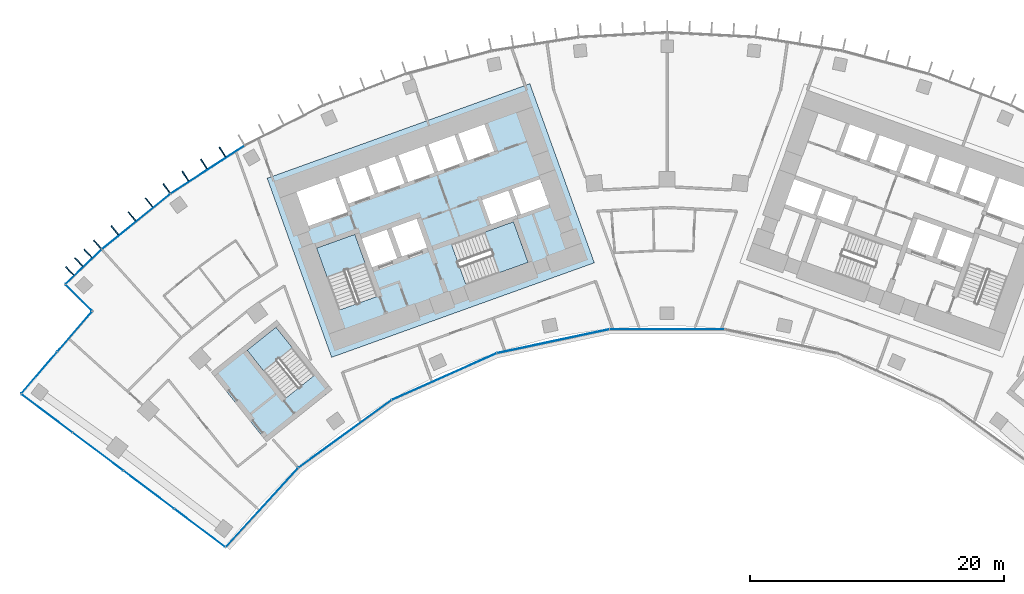
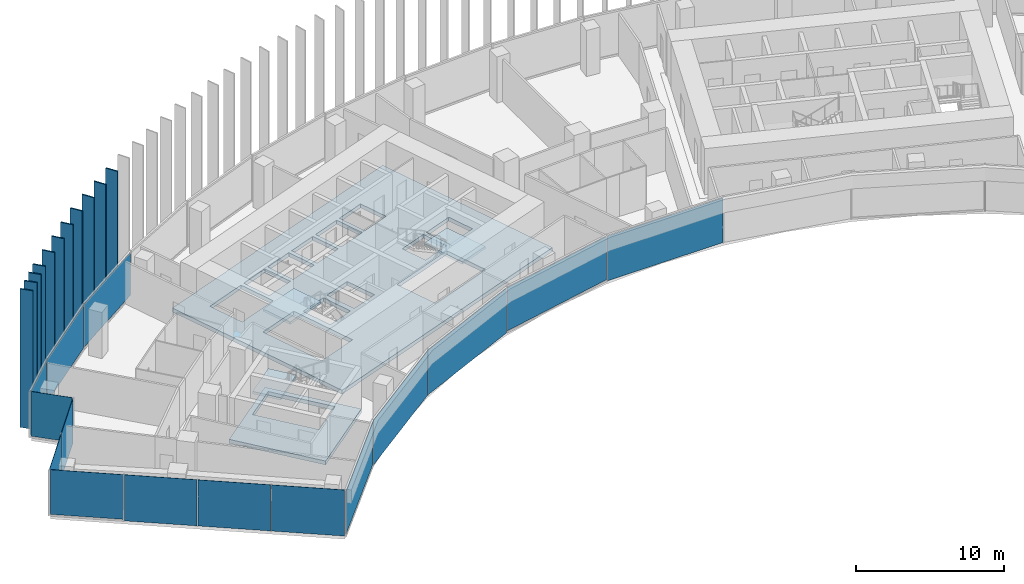
# One storey, part 12 of 23: 26 plates, 5 slabs, 8 elements without a shape of their own.
"""IFC4 building model written with IfcOpenShell, lengths in metres."""

from ifc_helpers import new_model, si_unit, direction, frame, origin, origin_2d, place, context, subcontext, project, spatial, polyline, rectangle, outline, extrude, material, layer, layer_set, type_object, element, aggregate, save


model = new_model("IFC4")

# Units and contexts
model_context = context("Model", 3, precision=1e-05, world=origin(), true_north=direction((0.0, 1.0)))
body_context = subcontext(model_context, "Body", "Model", "MODEL_VIEW")
ifc_project = project(units=[si_unit("LENGTHUNIT", "METRE"), si_unit("AREAUNIT", "SQUARE_METRE"), si_unit("VOLUMEUNIT", "CUBIC_METRE"), si_unit("PLANEANGLEUNIT", "RADIAN"), si_unit("MASSUNIT", "GRAM", prefix="KILO")], contexts=[model_context])

# Site, building, storey
site_placement = place(None, origin())
site = spatial("IfcSite", under=ifc_project, at=site_placement, CompositionType="ELEMENT")
building_placement = place(site_placement, origin())
building = spatial("IfcBuilding", under=site, at=building_placement, Name="Stone Belt Terrace Tower", CompositionType="ELEMENT")
storey_placement = place(building_placement, frame((0.0, 0.0, 178.199951171875)))
storey = spatial("IfcBuildingStorey", under=building, at=storey_placement, Name="L43", CompositionType="ELEMENT", Elevation=178.199951171875)

# Curtain wall, plates
ifc_material_1 = material(Name="Aluminium 6063-T6 anodised frame", Category="aluminium")
ifc_layer_1 = layer(ifc_material_1, 0.14990234375)
ifc_layer_set_1 = layer_set([ifc_layer_1], Name="CW-A unitised convex-face curtain wall")
curtain_wall_type_1 = type_object("IfcCurtainWallType", Name="CW-A unitised convex-face curtain wall", PredefinedType="NOTDEFINED", material=ifc_layer_set_1)
curtain_wall_1_placement = place(storey_placement, origin())
curtain_wall_1 = element("IfcCurtainWall", 1, at=curtain_wall_1_placement, inside=storey, type_object=curtain_wall_type_1, Name="CW-A convex face L43", PredefinedType="NOTDEFINED")
ifc_material_2 = material(Name="Clear double glazed unit")
ifc_layer_2 = layer(ifc_material_2, 0.031982421875)
ifc_layer_set_2 = layer_set([ifc_layer_2], Name="CW-A glass panel 32")
plate_type_1 = type_object("IfcPlateType", Name="CW-A glass panel 32", PredefinedType="CURTAIN_PANEL", material=ifc_layer_set_2)
plate_1_placement = place(storey_placement, frame((-36.209716796875, 55.758056640625, 0.14013671875), z_axis=(0.0, 0.0, 1.0), x_axis=(-0.838670567945, -0.544639035015, 0.0)))
plate_1 = element("IfcPlate", 2, at=plate_1_placement, type_object=plate_type_1, Name="CW-A panel 13.1", PredefinedType="CURTAIN_PANEL", context=body_context, shape_type="SweptSolid", body=[
    extrude(rectangle(XDim=6.90087890625, YDim=0.031982421875, at=origin_2d()), origin(), (0.0, 0.0, 1.0), 3.52001953125),
])
plate_2_placement = place(storey_placement, frame((-41.839599609375, 51.667724609375, 0.14013671875), z_axis=(0.0, 0.0, 1.0), x_axis=(-0.777145961457, -0.62932039105, 0.0)))
plate_2 = element("IfcPlate", 3, at=plate_2_placement, type_object=plate_type_1, Name="CW-A panel 14.1", PredefinedType="CURTAIN_PANEL", context=body_context, shape_type="SweptSolid", body=[
    extrude(rectangle(XDim=6.900634765625, YDim=0.031982421875, at=origin_2d()), origin(), (0.0, 0.0, 1.0), 3.52001953125),
])
plate_3_placement = place(storey_placement, frame((-45.9765625, 48.109619140625, 0.14013671875), z_axis=(0.0, 0.0, 1.0), x_axis=(-0.723120883539, -0.690721497993, 0.0)))
plate_3 = element("IfcPlate", 4, at=plate_3_placement, type_object=plate_type_1, Name="CW-A panel 15.1", PredefinedType="CURTAIN_PANEL", context=body_context, shape_type="SweptSolid", body=[
    extrude(rectangle(XDim=3.888671875, YDim=0.031982421875, at=origin_2d()), origin(), (0.0, 0.0, 1.0), 3.52001953125),
])
aggregate(curtain_wall_1, [plate_1, plate_2, plate_3])

ifc_layer_3 = layer(ifc_material_1, 0.14990234375)
ifc_layer_set_3 = layer_set([ifc_layer_3], Name="CW-B unitised concave-face curtain wall")
curtain_wall_type_2 = type_object("IfcCurtainWallType", Name="CW-B unitised concave-face curtain wall", PredefinedType="NOTDEFINED", material=ifc_layer_set_3)
curtain_wall_2_placement = place(storey_placement, origin())
curtain_wall_2 = element("IfcCurtainWall", 5, at=curtain_wall_2_placement, inside=storey, type_object=curtain_wall_type_2, Name="CW-B concave face L43", PredefinedType="NOTDEFINED")
ifc_layer_4 = layer(ifc_material_2, 0.030029296875)
ifc_layer_set_4 = layer_set([ifc_layer_4], Name="CW-B glass panel 30")
plate_type_2 = type_object("IfcPlateType", Name="CW-B glass panel 30", PredefinedType="CURTAIN_PANEL", material=ifc_layer_set_4)
plate_4_placement = place(storey_placement, frame((-31.9111328125, 29.148681640625, 0.1201171875), z_axis=(0.0, 0.0, 1.0), x_axis=(0.674760998748, 0.73803630979, 0.0)))
plate_4 = element("IfcPlate", 6, at=plate_4_placement, type_object=plate_type_2, Name="CW-B panel 1.1", PredefinedType="CURTAIN_PANEL", context=body_context, shape_type="SweptSolid", body=[
    extrude(rectangle(XDim=8.39501953125, YDim=0.030029296875, at=origin_2d()), origin(), (0.0, 0.0, 1.0), 3.56005859375),
])
plate_5_placement = place(storey_placement, frame((-25.384765625, 34.938720703125, 0.0), z_axis=(0.0, 0.0, 1.0), x_axis=(0.809016994375, 0.587785252292, 0.0)))
plate_5 = element("IfcPlate", 7, at=plate_5_placement, type_object=plate_type_2, Name="CW-B panel 2.1", PredefinedType="CURTAIN_PANEL", context=body_context, shape_type="SweptSolid", body=[
    extrude(rectangle(XDim=9.013427734375, YDim=0.030029296875, at=origin_2d()), origin(), (0.0, 0.0, 1.0), 3.679931640625),
])
plate_6_placement = place(storey_placement, frame((-17.565673828125, 39.453125, 0.0), z_axis=(0.0, 0.0, 1.0), x_axis=(0.913545457643, 0.406736643076, 0.0)))
plate_6 = element("IfcPlate", 8, at=plate_6_placement, type_object=plate_type_2, Name="CW-B panel 3.1", PredefinedType="CURTAIN_PANEL", context=body_context, shape_type="SweptSolid", body=[
    extrude(rectangle(XDim=9.0126953125, YDim=0.030029296875, at=origin_2d()), origin(), (0.0, 0.0, 1.0), 3.679931640625),
])
plate_7_placement = place(storey_placement, frame((-8.97900390625, 42.242919921875, 0.1201171875), z_axis=(0.0, 0.0, 1.0), x_axis=(0.978147600734, 0.207911690818, 0.0)))
plate_7 = element("IfcPlate", 9, at=plate_7_placement, type_object=plate_type_2, Name="CW-B panel 4.1", PredefinedType="CURTAIN_PANEL", context=body_context, shape_type="SweptSolid", body=[
    extrude(rectangle(XDim=9.0126953125, YDim=0.030029296875, at=origin_2d()), origin(), (0.0, 0.0, 1.0), 3.56005859375),
])
plate_8_placement = place(storey_placement, frame((0.0, 43.186767578125, 0.0), z_axis=(0.0, 0.0, 1.0), x_axis=(1.0, 0.0, 0.0)))
plate_8 = element("IfcPlate", 10, at=plate_8_placement, type_object=plate_type_2, Name="CW-B panel 5.1", PredefinedType="CURTAIN_PANEL", context=body_context, shape_type="SweptSolid", body=[
    extrude(rectangle(XDim=9.0126953125, YDim=0.030029296875, at=origin_2d()), origin(), (0.0, 0.0, 1.0), 3.679931640625),
])
aggregate(curtain_wall_2, [plate_4, plate_5, plate_6, plate_7, plate_8])

# Curtain wall, plate
ifc_layer_5 = layer(ifc_material_1, 0.14990234375)
ifc_layer_set_5 = layer_set([ifc_layer_5], Name="CW-C stick curtain wall, horn ends and notches")
curtain_wall_type_3 = type_object("IfcCurtainWallType", Name="CW-C stick curtain wall, horn ends and notches", PredefinedType="NOTDEFINED", material=ifc_layer_set_5)
curtain_wall_3_placement = place(storey_placement, origin())
curtain_wall_3 = element("IfcCurtainWall", 11, at=curtain_wall_3_placement, inside=storey, type_object=curtain_wall_type_3, Name="CW-C notch face L43", PredefinedType="NOTDEFINED")
ifc_layer_6 = layer(ifc_material_2, 0.028076171875)
ifc_layer_set_6 = layer_set([ifc_layer_6], Name="CW-C glass panel 28")
plate_type_3 = type_object("IfcPlateType", Name="CW-C glass panel 28", PredefinedType="CURTAIN_PANEL", material=ifc_layer_set_6)
plate_9_placement = place(storey_placement, frame((-46.365966796875, 45.658447265625, 0.1201171875), z_axis=(0.0, 0.0, 1.0), x_axis=(0.711713447851, -0.702469905511, 0.0)))
plate_9 = element("IfcPlate", 12, at=plate_9_placement, type_object=plate_type_3, Name="CW-C panel 1.1", PredefinedType="CURTAIN_PANEL", context=body_context, shape_type="SweptSolid", body=[
    extrude(rectangle(XDim=2.859375, YDim=0.028076171875, at=origin_2d()), origin(), (0.0, 0.0, 1.0), 3.679931640625),
])
aggregate(curtain_wall_3, [plate_9])

# Curtain wall, plates
curtain_wall_4_placement = place(storey_placement, origin())
curtain_wall_4 = element("IfcCurtainWall", 13, at=curtain_wall_4_placement, inside=storey, type_object=curtain_wall_type_3, Name="CW-C notch face L43", PredefinedType="NOTDEFINED")
plate_10_placement = place(storey_placement, frame((-46.68896484375, 42.986572265625, 0.1201171875), z_axis=(0.0, 0.0, 1.0), x_axis=(-0.652737860281, -0.757583847343, 0.0)))
plate_10 = element("IfcPlate", 14, at=plate_10_placement, type_object=plate_type_3, Name="CW-C panel 1.1", PredefinedType="CURTAIN_PANEL", context=body_context, shape_type="SweptSolid", body=[
    extrude(rectangle(XDim=4.12060546875, YDim=0.028076171875, at=origin_2d()), origin(), (0.0, 0.0, 1.0), 3.679931640625),
])
plate_11_placement = place(storey_placement, frame((-49.466064453125, 39.76318359375, 0.0), z_axis=(0.0, 0.0, 1.0), x_axis=(-0.652737860281, -0.757583847343, 0.0)))
plate_11 = element("IfcPlate", 15, at=plate_11_placement, type_object=plate_type_3, Name="CW-C panel 2.1", PredefinedType="CURTAIN_PANEL", context=body_context, shape_type="SweptSolid", body=[
    extrude(rectangle(XDim=4.268798828125, YDim=0.028076171875, at=origin_2d()), origin(), (0.0, 0.0, 1.0), 3.800048828125),
])
aggregate(curtain_wall_4, [plate_10, plate_11])

curtain_wall_5_placement = place(storey_placement, origin())
curtain_wall_5 = element("IfcCurtainWall", 16, at=curtain_wall_5_placement, inside=storey, type_object=curtain_wall_type_3, Name="CW-C end face L43", PredefinedType="NOTDEFINED")
plate_12_placement = place(storey_placement, frame((-48.858154296875, 36.551513671875, 0.1201171875), z_axis=(0.0, 0.0, 1.0), x_axis=(0.799986505357, -0.600017992436, 0.0)))
plate_12 = element("IfcPlate", 17, at=plate_12_placement, type_object=plate_type_3, Name="CW-C panel 1.1", PredefinedType="CURTAIN_PANEL", context=body_context, shape_type="SweptSolid", body=[
    extrude(rectangle(XDim=4.974853515625, YDim=0.028076171875, at=origin_2d()), origin(), (0.0, 0.0, 1.0), 3.679931640625),
])
plate_13_placement = place(storey_placement, frame((-44.84423828125, 33.541015625, 0.0), z_axis=(0.0, 0.0, 1.0), x_axis=(0.799986505357, -0.600017992436, 0.0)))
plate_13 = element("IfcPlate", 18, at=plate_13_placement, type_object=plate_type_3, Name="CW-C panel 2.1", PredefinedType="CURTAIN_PANEL", context=body_context, shape_type="SweptSolid", body=[
    extrude(rectangle(XDim=4.93994140625, YDim=0.028076171875, at=origin_2d()), origin(), (0.0, 0.0, 1.0), 3.800048828125),
])
plate_14_placement = place(storey_placement, frame((-40.84423828125, 30.541015625, 0.0), z_axis=(0.0, 0.0, 1.0), x_axis=(0.799986505357, -0.600017992436, 0.0)))
plate_14 = element("IfcPlate", 19, at=plate_14_placement, type_object=plate_type_3, Name="CW-C panel 3.1", PredefinedType="CURTAIN_PANEL", context=body_context, shape_type="SweptSolid", body=[
    extrude(rectangle(XDim=4.93994140625, YDim=0.028076171875, at=origin_2d()), origin(), (0.0, 0.0, 1.0), 3.800048828125),
])
plate_15_placement = place(storey_placement, frame((-36.834228515625, 27.533203125, 0.0), z_axis=(0.0, 0.0, 1.0), x_axis=(0.799986505357, -0.600017992436, 0.0)))
plate_15 = element("IfcPlate", 20, at=plate_15_placement, type_object=plate_type_3, Name="CW-C panel 4.1", PredefinedType="CURTAIN_PANEL", context=body_context, shape_type="SweptSolid", body=[
    extrude(rectangle(XDim=4.96533203125, YDim=0.028076171875, at=origin_2d()), origin(), (0.0, 0.0, 1.0), 3.800048828125),
])
aggregate(curtain_wall_5, [plate_12, plate_13, plate_14, plate_15])

# Slabs
ifc_material_3 = material(Name="Concrete B40", Category="concrete")
ifc_layer_7 = layer(ifc_material_3, 0.320068359375)
ifc_layer_set_7 = layer_set([ifc_layer_7], Name="Core floor slab 320")
slab_type_1 = type_object("IfcSlabType", Name="Core floor slab 320", PredefinedType="FLOOR", material=ifc_layer_set_7)
slab_1_placement = place(storey_placement, frame((0.0, 0.0, -0.320068359375)))
element("IfcSlab", 21, at=slab_1_placement, inside=storey, type_object=slab_type_1, Name="Core A floor L43", PredefinedType="FLOOR", context=body_context, shape_type="SweptSolid", body=[
    extrude(outline(polyline([(-26.43505859375, 40.968994140625), (-5.735107421875, 48.4189453125), (-10.81396484375, 62.531982421875), (-31.513916015625, 55.0830078125), (-26.43505859375, 40.968994140625)]), holes=[polyline([(-24.60791015625, 50.659912109375), (-22.847900390625, 45.76806640625), (-25.85888671875, 44.68408203125), (-27.618896484375, 49.575927734375), (-24.60791015625, 50.659912109375)]), polyline([(-23.25, 48.06689453125), (-24.06298828125, 50.324951171875), (-22.0869140625, 51.035888671875), (-21.27392578125, 48.778076171875), (-23.25, 48.06689453125)]), polyline([(-20.89794921875, 48.9130859375), (-21.7109375, 51.1708984375), (-19.735107421875, 51.883056640625), (-18.922119140625, 49.6240234375), (-20.89794921875, 48.9130859375)]), polyline([(-28.24609375, 51.31689453125), (-29.2109375, 53.9990234375), (-26.153076171875, 55.09912109375), (-25.18798828125, 52.41796875), (-28.24609375, 51.31689453125)]), polyline([(-23.801025390625, 55.946044921875), (-23.0390625, 53.8291015625), (-25.10888671875, 53.083984375), (-25.87109375, 55.200927734375), (-23.801025390625, 55.946044921875)]), polyline([(-21.447998046875, 56.7919921875), (-20.68603515625, 54.675048828125), (-22.756103515625, 53.929931640625), (-23.51806640625, 56.047119140625), (-21.447998046875, 56.7919921875)]), polyline([(-10.955078125, 48.452880859375), (-15.846923828125, 46.69189453125), (-16.998046875, 49.89208984375), (-12.10595703125, 51.652099609375), (-10.955078125, 48.452880859375)]), polyline([(-11.847900390625, 52.116943359375), (-11.864990234375, 52.1640625), (-13.887939453125, 51.43603515625), (-14.58203125, 53.364990234375), (-12.511962890625, 54.110107421875), (-11.801025390625, 52.134033203125), (-11.847900390625, 52.116943359375)]), polyline([(-9.30810546875, 53.031005859375), (-11.51904296875, 52.235107421875), (-12.22998046875, 54.2109375), (-10.01904296875, 55.007080078125), (-9.30810546875, 53.031005859375)]), polyline([(-21.166015625, 56.89404296875), (-19.095947265625, 57.638916015625), (-18.333984375, 55.52197265625), (-20.404052734375, 54.777099609375), (-21.166015625, 56.89404296875)]), polyline([(-16.743896484375, 58.485107421875), (-15.98193359375, 56.367919921875), (-18.052001953125, 55.623046875), (-18.81396484375, 57.739990234375), (-16.743896484375, 58.485107421875)]), polyline([(-14.39111328125, 59.33203125), (-13.6298828125, 57.215087890625), (-15.699951171875, 56.469970703125), (-16.4609375, 58.5869140625), (-14.39111328125, 59.33203125)])]), origin(), (0.0, 0.0, 1.0), 0.320068359375),
])
slab_2_placement = place(storey_placement, frame((0.0, 0.0, -0.320068359375)))
element("IfcSlab", 22, at=slab_2_placement, inside=storey, type_object=slab_type_1, Name="Exit stair ST3A floor L43", PredefinedType="FLOOR", context=body_context, shape_type="SweptSolid", body=[
    extrude(outline(polyline([(-26.39404296875, 38.425048828125), (-30.756103515625, 43.89990234375), (-35.91796875, 39.787109375), (-31.555908203125, 34.31298828125), (-26.39404296875, 38.425048828125)]), holes=[polyline([(-27.798095703125, 39.544921875), (-30.06591796875, 37.738037109375), (-33.087890625, 41.531005859375), (-30.820068359375, 43.337890625), (-27.798095703125, 39.544921875)])]), origin(), (0.0, 0.0, 1.0), 0.320068359375),
])

# Stair, slab
stair_type = type_object("IfcStairType", Name="Exit stair 1500", PredefinedType="HALF_TURN_STAIR", material=ifc_material_3)
stair_1_placement = place(storey_placement, origin())
stair_1 = element("IfcStair", 23, at=stair_1_placement, inside=storey, type_object=stair_type, Name="L43 Exit stair 1 core A", PredefinedType="HALF_TURN_STAIR")
ifc_layer_8 = layer(ifc_material_3, 0.199951171875)
ifc_layer_set_8 = layer_set([ifc_layer_8], Name="Stair landing 200")
slab_type_2 = type_object("IfcSlabType", Name="Stair landing 200", PredefinedType="LANDING", material=ifc_layer_set_8)
slab_3_placement = place(storey_placement, frame((0.0, 0.0, 1.699951171875)))
slab_3 = element("IfcSlab", 24, at=slab_3_placement, type_object=slab_type_2, Name="ST1A landing 1", PredefinedType="LANDING", context=body_context, shape_type="SweptSolid", body=[
    extrude(outline(polyline([(-23.79541015625, 48.40087890625), (-24.6083984375, 50.659912109375), (-27.619384765625, 49.576171875), (-26.806396484375, 47.3173828125), (-23.79541015625, 48.40087890625)])), origin(), (0.0, 0.0, 1.0), 0.2001953125),
])
aggregate(stair_1, [slab_3])

stair_2_placement = place(storey_placement, origin())
stair_2 = element("IfcStair", 25, at=stair_2_placement, inside=storey, type_object=stair_type, Name="L43 Exit stair 2 core A", PredefinedType="HALF_TURN_STAIR")
slab_4_placement = place(storey_placement, frame((0.0, 0.0, 1.699951171875)))
slab_4 = element("IfcSlab", 26, at=slab_4_placement, type_object=slab_type_2, Name="ST2A landing 1", PredefinedType="LANDING", context=body_context, shape_type="SweptSolid", body=[
    extrude(outline(polyline([(-13.213623046875, 47.64013671875), (-10.95458984375, 48.453125), (-12.10595703125, 51.652099609375), (-14.36474609375, 50.839111328125), (-13.213623046875, 47.64013671875)])), origin(), (0.0, 0.0, 1.0), 0.2001953125),
])
aggregate(stair_2, [slab_4])

stair_3_placement = place(storey_placement, origin())
stair_3 = element("IfcStair", 27, at=stair_3_placement, inside=storey, type_object=stair_type, Name="L43 Exit stair 3A", PredefinedType="HALF_TURN_STAIR")
slab_5_placement = place(storey_placement, frame((0.0, 0.0, 1.699951171875)))
slab_5 = element("IfcSlab", 28, at=slab_5_placement, type_object=slab_type_2, Name="ST3A landing 1", PredefinedType="LANDING", context=body_context, shape_type="SweptSolid", body=[
    extrude(outline(polyline([(-29.541748046875, 41.73388671875), (-30.819580078125, 43.337890625), (-33.087646484375, 41.53076171875), (-31.809814453125, 39.9267578125), (-29.541748046875, 41.73388671875)])), origin(), (0.0, 0.0, 1.0), 0.2001953125),
])
aggregate(stair_3, [slab_5])

# Plates
ifc_material_4 = material(Name="Terracotta coloured glazed ceramic", Category="masonry")
ifc_layer_9 = layer(ifc_material_4, 0.10009765625)
ifc_layer_set_9 = layer_set([ifc_layer_9], Name="Terracotta fin 100 x 900")
plate_type_4 = type_object("IfcPlateType", Name="Terracotta fin 100 x 900", PredefinedType="SHEET", material=ifc_layer_set_9)
for number, where, z_axis, x_axis, name in (
    (29, (-35.03466796875, 57.147216796875, 0.0), (0.0, 0.0, 1.0), (-0.544639035015, 0.838670567945, 0.0), "FIN L43 13.2"),
    (30, (-36.49560546875, 56.1982421875, 0.0), (0.0, 0.0, 1.0), (-0.544639035015, 0.838670567945, 0.0), "FIN L43 13.3"),
    (31, (-37.956787109375, 55.24951171875, 0.0), (0.0, 0.0, 1.0), (-0.544639035015, 0.838670567945, 0.0), "FIN L43 13.4"),
    (32, (-39.4404296875, 54.28515625, 0.0), (0.0, 0.0, 1.0), (-0.587785252292, 0.809016994375, 0.0), "FIN L43 14.1"),
    (33, (-40.81591796875, 53.172119140625, 0.0), (0.0, 0.0, 1.0), (-0.62932039105, 0.777145961457, 0.0), "FIN L43 14.2"),
    (34, (-42.169677734375, 52.075927734375, 0.0), (0.0, 0.0, 1.0), (-0.62932039105, 0.777145961457, 0.0), "FIN L43 14.3"),
    (35, (-43.5234375, 50.979736328125, 0.0), (0.0, 0.0, 1.0), (-0.62932039105, 0.777145961457, 0.0), "FIN L43 14.4"),
    (36, (-44.8935546875, 49.86962890625, 0.0), (0.0, 0.0, 1.0), (-0.660573481499, 0.75076139721, 0.0), "FIN L43 15.1"),
    (37, (-45.6318359375, 49.1650390625, 0.0), (0.0, 0.0, 1.0), (-0.690721497993, 0.723120883539, 0.0), "FIN L43 15.2"),
    (38, (-46.354248046875, 48.474853515625, 0.0), (0.0, 0.0, 1.0), (-0.690721497993, 0.723120883539, 0.0), "FIN L43 15.3"),
    (39, (-47.07666015625, 47.784912109375, 0.0), (0.0, 0.0, 1.0), (-0.690721497993, 0.723120883539, 0.0), "FIN L43 15.4"),
):
    element("IfcPlate", number, at=place(storey_placement, frame(where, z_axis=z_axis, x_axis=x_axis)), inside=storey, type_object=plate_type_4, Name=name, PredefinedType="SHEET", context=body_context, shape_type="SweptSolid", body=[
        extrude(rectangle(XDim=0.89990234375, YDim=0.10009765625, at=origin_2d()), origin(), (0.0, 0.0, 1.0), 11.39990234375),
    ])

save(model, "model.ifc")
